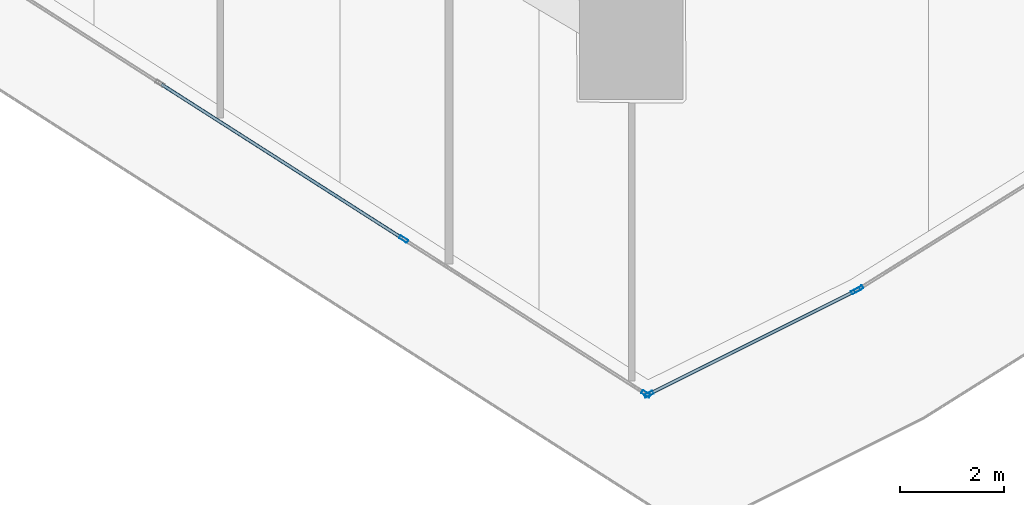
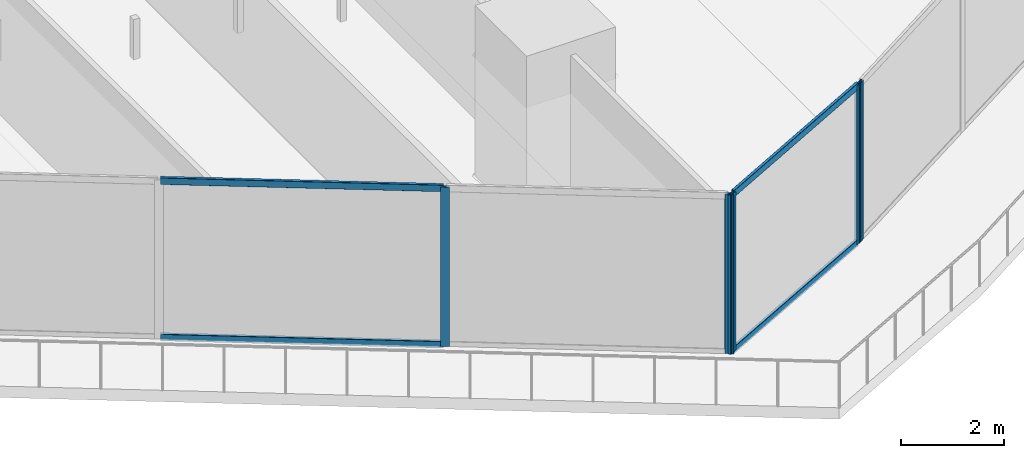
# One storey, part 8 of 37: 9 members, 3 elements without a shape of their own.
"""IFC4 building model written with IfcOpenShell, lengths in metres."""

from ifc_helpers import new_model, si_unit, direction, frame, origin, origin_2d, place, context, subcontext, project, spatial, hollow_rectangle, extrude, material, layer, layer_set, material_profile, profile_set, type_object, element, aggregate, save


model = new_model("IFC4")

# Units and contexts
model_context = context("Model", 3, precision=1e-05, world=origin(), true_north=direction((0.0, 1.0)))
body_context = subcontext(model_context, "Body", "Model", "MODEL_VIEW")
ifc_project = project(units=[si_unit("LENGTHUNIT", "METRE"), si_unit("AREAUNIT", "SQUARE_METRE"), si_unit("VOLUMEUNIT", "CUBIC_METRE"), si_unit("PLANEANGLEUNIT", "RADIAN"), si_unit("MASSUNIT", "GRAM", prefix="KILO")], contexts=[model_context])

# Site, building, storey
site_placement = place(None, origin())
site = spatial("IfcSite", under=ifc_project, at=site_placement, CompositionType="ELEMENT")
building_placement = place(site_placement, origin())
building = spatial("IfcBuilding", under=site, at=building_placement, Name="Qorvath Tower", CompositionType="ELEMENT")
storey_placement = place(building_placement, frame((0.0, 0.0, 184.800048828125)))
storey = spatial("IfcBuildingStorey", under=building, at=storey_placement, Name="L42", CompositionType="ELEMENT", Elevation=184.800048828125)

# Curtain wall, members
ifc_material_1 = material(Name="Anodised aluminium and triple low-E glass", Category="aluminium")
ifc_layer = layer(ifc_material_1, 0.179931640625)
ifc_layer_set = layer_set([ifc_layer], Name="CW-SYS-3")
curtain_wall_type = type_object("IfcCurtainWallType", Name="CW-SYS-3", PredefinedType="NOTDEFINED", material=ifc_layer_set)
curtain_wall_1_placement = place(storey_placement, origin())
curtain_wall_1 = element("IfcCurtainWall", 1, at=curtain_wall_1_placement, inside=storey, type_object=curtain_wall_type, Name="Curtain Wall CW-3 CW-T-L42-2.2", PredefinedType="NOTDEFINED")
ifc_material_2 = material(Name="Anodised aluminium 6063-T6", Category="aluminium")
ifc_material_profile_1 = material_profile(ifc_material_2, hollow_rectangle(XDim=0.06494140625, YDim=0.179931640625, WallThickness=0.00341796875, InnerFilletRadius=0.00341796875, OuterFilletRadius=0.007080078125, at=origin_2d()), Name="CWM 180x65")
ifc_profile_set_1 = profile_set([ifc_material_profile_1], Name="Anodised aluminium 6063-T6")
member_type_1 = type_object("IfcMemberType", Name="CWM-180", PredefinedType="MULLION", material=ifc_profile_set_1)
member_1_placement = place(storey_placement, frame((-21.256103515625, -25.315673828125, 0.0), z_axis=(0.0, 0.0, 1.0), x_axis=(0.538531234683, 0.842605547852, 0.0)))
member_1 = element("IfcMember", 2, at=member_1_placement, type_object=member_type_1, Name="CW-3 mullion 3", PredefinedType="MULLION", context=body_context, shape_type="SweptSolid", body=[
    extrude(hollow_rectangle(XDim=0.06494140625, YDim=0.179931640625, WallThickness=0.00341796875, InnerFilletRadius=0.00341796875, OuterFilletRadius=0.007080078125, at=origin_2d()), origin(), (0.0, 0.0, 1.0), 3.780029296875),
])
member_2_placement = place(storey_placement, frame((-16.588623046875, -28.298828125, 0.0), z_axis=(0.0, 0.0, 1.0), x_axis=(0.538531234683, 0.842605547852, 0.0)))
member_2 = element("IfcMember", 3, at=member_2_placement, type_object=member_type_1, Name="CW-3 mullion 4", PredefinedType="MULLION", context=body_context, shape_type="SweptSolid", body=[
    extrude(hollow_rectangle(XDim=0.06494140625, YDim=0.179931640625, WallThickness=0.00341796875, InnerFilletRadius=0.00341796875, OuterFilletRadius=0.007080078125, at=origin_2d()), origin(), (0.0, 0.0, 1.0), 3.780029296875),
])

curtain_wall_2_placement = place(storey_placement, origin())
curtain_wall_2 = element("IfcCurtainWall", 4, at=curtain_wall_2_placement, inside=storey, type_object=curtain_wall_type, Name="Curtain Wall CW-3 CW-T-L42-3.1", PredefinedType="NOTDEFINED")
member_3_placement = place(storey_placement, frame((-16.5322265625, -28.3017578125, 0.0), z_axis=(0.0, 0.0, 1.0), x_axis=(-0.447195906569, 0.894436035247, 0.0)))
member_3 = element("IfcMember", 5, at=member_3_placement, type_object=member_type_1, Name="CW-3 mullion 1", PredefinedType="MULLION", context=body_context, shape_type="SweptSolid", body=[
    extrude(hollow_rectangle(XDim=0.06494140625, YDim=0.179931640625, WallThickness=0.00341796875, InnerFilletRadius=0.00341796875, OuterFilletRadius=0.007080078125, at=origin_2d()), origin(), (0.0, 0.0, 1.0), 3.780029296875),
])
member_4_placement = place(storey_placement, frame((-12.545166015625, -26.308349609375, 0.0), z_axis=(0.0, 0.0, 1.0), x_axis=(-0.447195906569, 0.894436035247, 0.0)))
member_4 = element("IfcMember", 6, at=member_4_placement, type_object=member_type_1, Name="CW-3 mullion 2", PredefinedType="MULLION", context=body_context, shape_type="SweptSolid", body=[
    extrude(hollow_rectangle(XDim=0.06494140625, YDim=0.179931640625, WallThickness=0.00341796875, InnerFilletRadius=0.00341796875, OuterFilletRadius=0.007080078125, at=origin_2d()), origin(), (0.0, 0.0, 1.0), 3.780029296875),
])

# Curtain wall, member
curtain_wall_3_placement = place(storey_placement, origin())
curtain_wall_3 = element("IfcCurtainWall", 7, at=curtain_wall_3_placement, inside=storey, type_object=curtain_wall_type, Name="Curtain Wall CW-3 CW-T-L42-4.1", PredefinedType="NOTDEFINED")
member_5_placement = place(storey_placement, frame((-12.488525390625, -26.276611328125, 0.0), z_axis=(0.0, 0.0, 1.0), x_axis=(-0.529252450172, 0.848464403488, 0.0)))
member_5 = element("IfcMember", 8, at=member_5_placement, type_object=member_type_1, Name="CW-3 mullion 1", PredefinedType="MULLION", context=body_context, shape_type="SweptSolid", body=[
    extrude(hollow_rectangle(XDim=0.06494140625, YDim=0.179931640625, WallThickness=0.00341796875, InnerFilletRadius=0.00341796875, OuterFilletRadius=0.007080078125, at=origin_2d()), origin(), (0.0, 0.0, 1.0), 3.780029296875),
])
aggregate(curtain_wall_3, [member_5])

# Member
ifc_material_3 = material(Name="Anodised aluminium 6063-T6", Category="aluminium")
ifc_material_profile_2 = material_profile(ifc_material_3, hollow_rectangle(XDim=0.06494140625, YDim=0.159912109375, WallThickness=0.00341796875, InnerFilletRadius=0.00341796875, OuterFilletRadius=0.007080078125, at=origin_2d()), Name="CWT 160x65")
ifc_profile_set_2 = profile_set([ifc_material_profile_2], Name="Anodised aluminium 6063-T6")
member_type_2 = type_object("IfcMemberType", Name="CWT-160", PredefinedType="USERDEFINED", material=ifc_profile_set_2)
member_6_placement = place(storey_placement, frame((-25.923828125, -22.33251953125, 0.032470703125), z_axis=(0.842590087519, -0.538555423718, 0.0), x_axis=(0.538555423718, 0.842590087519, 0.0)))
member_6 = element("IfcMember", 9, at=member_6_placement, type_object=member_type_2, Name="CW-3 transom 2.1", ObjectType="TRANSOM", PredefinedType="USERDEFINED", context=body_context, shape_type="SweptSolid", body=[
    extrude(hollow_rectangle(XDim=0.06494140625, YDim=0.159912109375, WallThickness=0.00341796875, InnerFilletRadius=0.00341796875, OuterFilletRadius=0.007080078125, at=origin_2d()), origin(), (0.0, 0.0, 1.0), 5.507080078125),
])

member_7_placement = place(storey_placement, frame((-25.923828125, -22.33251953125, 3.74755859375), z_axis=(0.842590087519, -0.538555423718, 0.0), x_axis=(0.538555423718, 0.842590087519, 0.0)))
member_7 = element("IfcMember", 10, at=member_7_placement, type_object=member_type_2, Name="CW-3 transom 2.2", ObjectType="TRANSOM", PredefinedType="USERDEFINED", context=body_context, shape_type="SweptSolid", body=[
    extrude(hollow_rectangle(XDim=0.06494140625, YDim=0.159912109375, WallThickness=0.00341796875, InnerFilletRadius=0.00341796875, OuterFilletRadius=0.007080078125, at=origin_2d()), origin(), (0.0, 0.0, 1.0), 5.507080078125),
])

aggregate(curtain_wall_1, [member_1, member_2, member_6, member_7])

member_8_placement = place(storey_placement, frame((-16.503173828125, -28.287353515625, 0.032470703125), z_axis=(0.894438306591, 0.447191363626, 0.0), x_axis=(-0.447191363626, 0.894438306591, 0.0)))
member_8 = element("IfcMember", 11, at=member_8_placement, type_object=member_type_2, Name="CW-3 transom 1.1", ObjectType="TRANSOM", PredefinedType="USERDEFINED", context=body_context, shape_type="SweptSolid", body=[
    extrude(hollow_rectangle(XDim=0.06494140625, YDim=0.159912109375, WallThickness=0.00341796875, InnerFilletRadius=0.00341796875, OuterFilletRadius=0.007080078125, at=origin_2d()), origin(), (0.0, 0.0, 1.0), 4.392578125),
])

member_9_placement = place(storey_placement, frame((-16.503173828125, -28.287353515625, 3.74755859375), z_axis=(0.894438306591, 0.447191363626, 0.0), x_axis=(-0.447191363626, 0.894438306591, 0.0)))
member_9 = element("IfcMember", 12, at=member_9_placement, type_object=member_type_2, Name="CW-3 transom 1.2", ObjectType="TRANSOM", PredefinedType="USERDEFINED", context=body_context, shape_type="SweptSolid", body=[
    extrude(hollow_rectangle(XDim=0.06494140625, YDim=0.159912109375, WallThickness=0.00341796875, InnerFilletRadius=0.00341796875, OuterFilletRadius=0.007080078125, at=origin_2d()), origin(), (0.0, 0.0, 1.0), 4.392578125),
])

aggregate(curtain_wall_2, [member_3, member_4, member_8, member_9])

save(model, "model.ifc")
